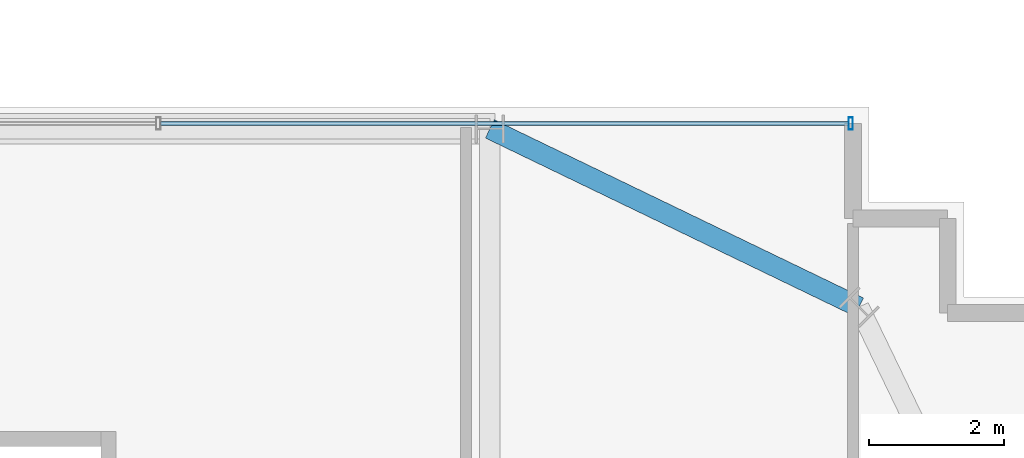
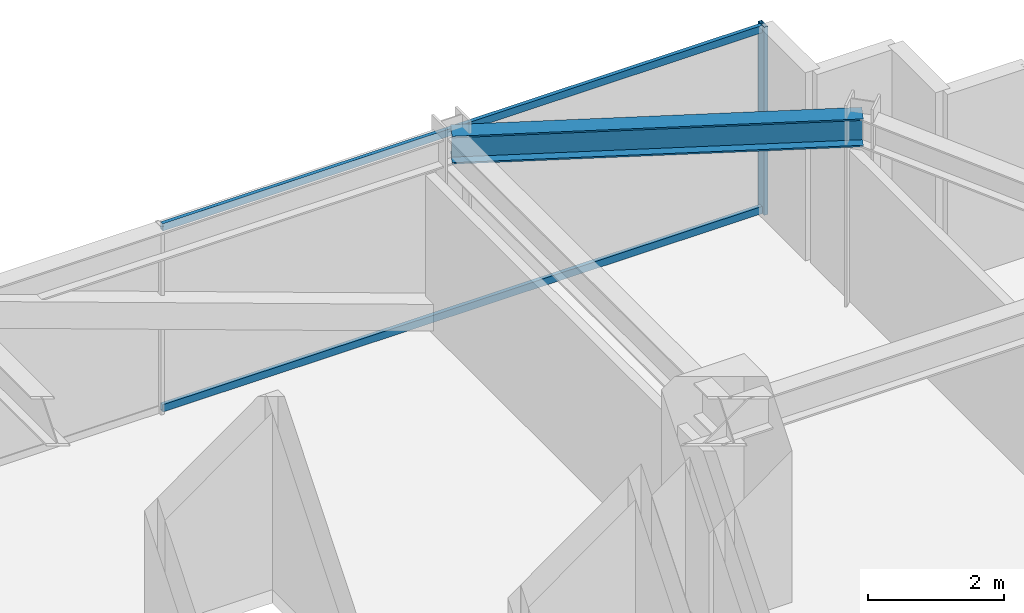
# One storey, part 27 of 35: 3 members, 1 beam, 1 element without a shape of its own.
"""IFC4 building model written with IfcOpenShell, lengths in metres."""

from ifc_helpers import new_model, si_unit, direction, frame, origin, origin_2d, place, context, subcontext, project, spatial, hollow_rectangle, i_section, extrude, source, transform, mapped, material, material_profile, profile_set, type_object, element, aggregate, save


model = new_model("IFC4")

# Units and contexts
model_context = context("Model", 3, precision=1e-05, world=origin(), true_north=direction((0.0, 1.0)))
body_context = subcontext(model_context, "Body", "Model", "MODEL_VIEW")
ifc_project = project(units=[si_unit("LENGTHUNIT", "METRE"), si_unit("AREAUNIT", "SQUARE_METRE"), si_unit("VOLUMEUNIT", "CUBIC_METRE"), si_unit("PLANEANGLEUNIT", "RADIAN"), si_unit("MASSUNIT", "GRAM", prefix="KILO")], contexts=[model_context])

# Site, building, storey
site_placement = place(None, origin())
site = spatial("IfcSite", under=ifc_project, at=site_placement, CompositionType="ELEMENT")
building_placement = place(site_placement, origin())
building = spatial("IfcBuilding", under=site, at=building_placement, Name="Nahalor Promenade Grand Hotel", CompositionType="ELEMENT")
storey_placement = place(building_placement, frame((0.0, 0.0, 39.699951171875)))
storey = spatial("IfcBuildingStorey", under=building, at=storey_placement, Name="L08", CompositionType="ELEMENT", Elevation=39.699951171875)

# Beam
ifc_material_1 = material(Name="Steel S355JR", Category="steel")
ifc_material_profile_1 = material_profile(ifc_material_1, i_section(OverallWidth=0.3, OverallDepth=0.5, WebThickness=0.0145, FlangeThickness=0.028, at=origin_2d()), Name="HEB 500")
ifc_profile_set_1 = profile_set([ifc_material_profile_1], Name="Steel S355JR")
beam_type = type_object("IfcBeamType", Name="Beam-Spandrel-HEB500", PredefinedType="SPANDREL", material=ifc_profile_set_1)
shared_shape_1 = source(origin(), body_context, "Body", "SweptSolid", [
    extrude(i_section(OverallWidth=0.3, OverallDepth=0.5, WebThickness=0.0145, FlangeThickness=0.028, at=origin_2d()), origin(), (0.0, 0.0, 1.0), 6.051513671875),
])
beam_placement = place(storey_placement, frame((17.0, 25.080078125, 3.1201171875), z_axis=(0.900608818852, -0.434630596492, 0.0), x_axis=(0.434630596492, 0.900608818852, 0.0)))
element("IfcBeam", 1, at=beam_placement, inside=storey, type_object=beam_type, Name="BM-L08-SPC-NE-1", PredefinedType="SPANDREL", context=body_context, shape_type="MappedRepresentation", body=[
    mapped(shared_shape_1, transform((0.0, 0.0, 0.0), scale=1.0)),
])

# Curtain wall, members
ifc_material_2 = material(Name="Anodised Bronze Aluminium EN AW-6063 T6", Category="aluminium")
curtain_wall_type = type_object("IfcCurtainWallType", Name="CW2 Typical Hotel Flush Bronze Unitised Curtain Wall", PredefinedType="USERDEFINED", material=ifc_material_2)
curtain_wall_placement = place(storey_placement, origin())
curtain_wall = element("IfcCurtainWall", 2, at=curtain_wall_placement, inside=storey, type_object=curtain_wall_type, Name="L08 Curtain Wall CW-L08-N-3", ObjectType="UNITISED_CURTAIN_WALL", PredefinedType="USERDEFINED")
ifc_material_profile_2 = material_profile(ifc_material_2, hollow_rectangle(XDim=0.065, YDim=0.18, WallThickness=0.004, at=origin_2d()), Name="CWM 65x180x4")
ifc_profile_set_2 = profile_set([ifc_material_profile_2], Name="Anodised Bronze Aluminium EN AW-6063 T6")
member_type_1 = type_object("IfcMemberType", Name="CWM2 Typical Bronze Mullion 65x180", PredefinedType="MULLION", material=ifc_profile_set_2)
shared_shape_2 = source(origin(), body_context, "Body", "SweptSolid", [
    extrude(hollow_rectangle(XDim=0.065, YDim=0.18, WallThickness=0.004, at=origin_2d()), origin(), (0.0, 0.0, 1.0), 3.3701171875),
])
member_1_placement = place(storey_placement, frame((22.327392578125, 25.159912109375, 0.0), z_axis=(0.0, 0.0, 1.0), x_axis=(1.0, 0.0, 0.0)))
member_1 = element("IfcMember", 3, at=member_1_placement, type_object=member_type_1, Name="CW-L08-N-3 Mullion 3", PredefinedType="MULLION", context=body_context, shape_type="MappedRepresentation", body=[
    mapped(shared_shape_2, transform((0.0, 0.0, 0.0), scale=1.0)),
])
ifc_material_profile_3 = material_profile(ifc_material_2, hollow_rectangle(XDim=0.065, YDim=0.13, WallThickness=0.004, at=origin_2d()), Name="CWT 65x130x4")
ifc_profile_set_3 = profile_set([ifc_material_profile_3], Name="Anodised Bronze Aluminium EN AW-6063 T6")
member_type_2 = type_object("IfcMemberType", Name="CWT2 Typical Bronze Transom 65x130", PredefinedType="USERDEFINED", material=ifc_profile_set_3)
shared_shape_3 = source(origin(), body_context, "Body", "SweptSolid", [
    extrude(hollow_rectangle(XDim=0.065, YDim=0.13, WallThickness=0.004, at=origin_2d()), origin(), (0.0, 0.0, 1.0), 10.15576171875),
])
member_2_placement = place(storey_placement, frame((12.13916015625, 25.159912109375, 0.06494140625), z_axis=(1.0, 0.0, 0.0), x_axis=(0.0, 1.0, 0.0)))
member_2 = element("IfcMember", 4, at=member_2_placement, type_object=member_type_2, Name="CW-L08-N-3 Transom 2-0", ObjectType="TRANSOM", PredefinedType="USERDEFINED", context=body_context, shape_type="MappedRepresentation", body=[
    mapped(shared_shape_3, transform((0.0, 0.0, 0.0), scale=1.0)),
])
member_3_placement = place(storey_placement, frame((12.13916015625, 25.159912109375, 3.304931640625), z_axis=(1.0, 0.0, 0.0), x_axis=(0.0, 1.0, 0.0)))
member_3 = element("IfcMember", 5, at=member_3_placement, type_object=member_type_2, Name="CW-L08-N-3 Transom 2-1", ObjectType="TRANSOM", PredefinedType="USERDEFINED", context=body_context, shape_type="MappedRepresentation", body=[
    mapped(shared_shape_3, transform((0.0, 0.0, 0.0), scale=1.0)),
])
aggregate(curtain_wall, [member_1, member_2, member_3])

save(model, "model.ifc")
